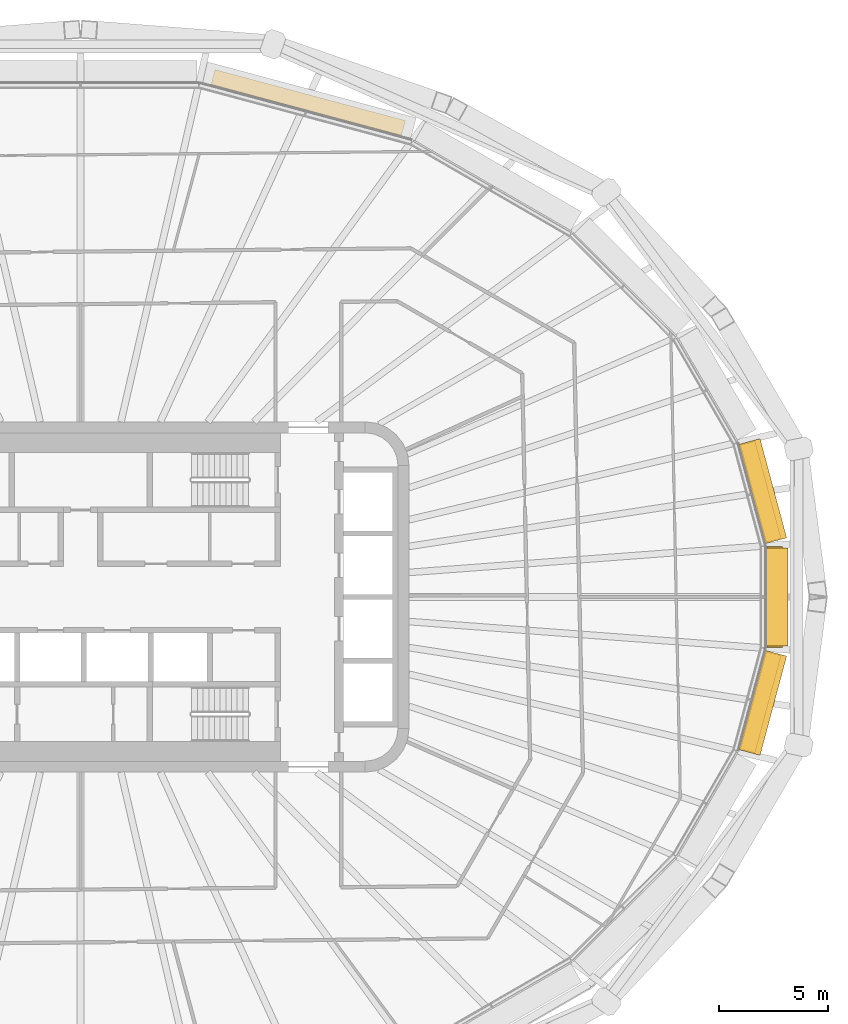
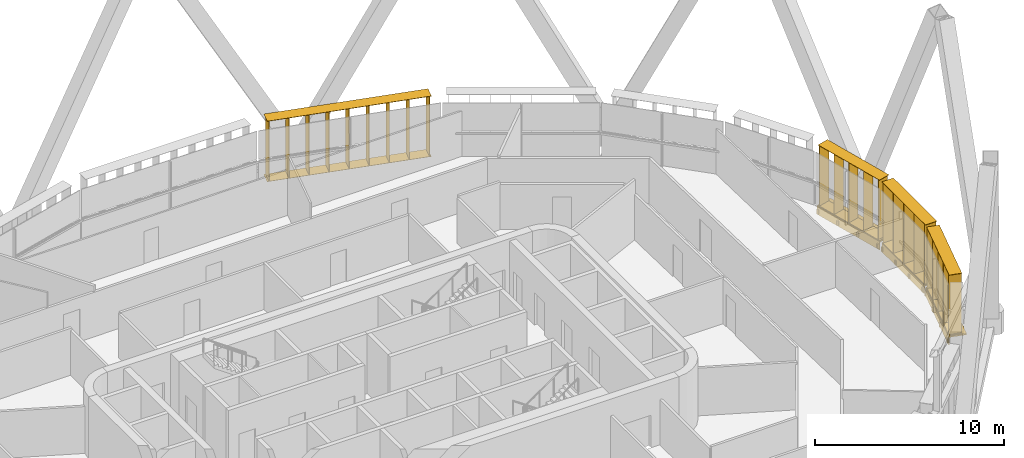
# One storey, part 25 of 25: 7 shading devices.
"""IFC4 building model written with IfcOpenShell, lengths in metres."""

from ifc_helpers import new_model, si_unit, direction, frame, origin, origin_2d, place, context, subcontext, project, spatial, rectangle, extrude, material, type_object, element, save


model = new_model("IFC4")

# Units and contexts
model_context = context("Model", 3, precision=1e-05, world=origin(), true_north=direction((0.0, 1.0)))
body_context = subcontext(model_context, "Body", "Model", "MODEL_VIEW")
ifc_project = project(units=[si_unit("LENGTHUNIT", "METRE"), si_unit("AREAUNIT", "SQUARE_METRE"), si_unit("VOLUMEUNIT", "CUBIC_METRE"), si_unit("PLANEANGLEUNIT", "RADIAN"), si_unit("MASSUNIT", "GRAM", prefix="KILO")], contexts=[model_context])

# Site, building, storey
site_placement = place(None, origin())
site = spatial("IfcSite", under=ifc_project, at=site_placement, CompositionType="ELEMENT")
building_placement = place(site_placement, origin())
building = spatial("IfcBuilding", under=site, at=building_placement, Name="Sahrelin Media Tower", CompositionType="ELEMENT")
storey_placement = place(building_placement, frame((0.0, 0.0, 165.60009765625)))
storey = spatial("IfcBuildingStorey", under=building, at=storey_placement, Name="L34", CompositionType="ELEMENT", Elevation=165.60009765625)

# Shading devices
ifc_material = material(Name="Champagne anodised aluminium 6063-T6", Category="aluminium")
shading_device_type_1 = type_object("IfcShadingDeviceType", Name="Fin cassette", PredefinedType="USERDEFINED", material=ifc_material)
placement_1 = place(storey_placement, frame((31.2841796875, 0.0, 0.0), z_axis=(0.0, 0.0, 1.0), x_axis=(0.0, -1.0, 0.0)))
element("IfcShadingDevice", 1, at=placement_1, inside=storey, type_object=shading_device_type_1, Name="L34:FIN:L34-00", ObjectType="FIN", PredefinedType="USERDEFINED", context=body_context, shape_type="SweptSolid", body=[
    extrude(rectangle(XDim=4.60009765625, YDim=0.699951171875, at=origin_2d()), frame((0.0, 0.419921875, 0.0)), (0.0, 0.0, 1.0), 0.02001953125),
    extrude(rectangle(XDim=4.60009765625, YDim=0.699951171875, at=origin_2d()), frame((0.0, 0.419921875, 3.89990234375)), (0.0, 0.0, 1.0), 0.02001953125),
    extrude(rectangle(XDim=0.02001953125, YDim=0.699951171875, at=origin_2d()), frame((-2.199951171875, 0.419921875, 0.010009765625), z_axis=(0.0, 0.0, 1.0), x_axis=(1.0, 0.0, 0.0)), (0.0, 0.0, 1.0), 3.89990234375),
    extrude(rectangle(XDim=0.02001953125, YDim=0.699951171875, at=origin_2d()), frame((-1.10009765625, 0.419921875, 0.010009765625), z_axis=(0.0, 0.0, 1.0), x_axis=(1.0, 0.0, 0.0)), (0.0, 0.0, 1.0), 3.89990234375),
    extrude(rectangle(XDim=0.02001953125, YDim=0.699951171875, at=origin_2d()), frame((0.0, 0.419921875, 0.010009765625), z_axis=(0.0, 0.0, 1.0), x_axis=(1.0, 0.0, 0.0)), (0.0, 0.0, 1.0), 3.89990234375),
    extrude(rectangle(XDim=0.02001953125, YDim=0.699951171875, at=origin_2d()), frame((1.10009765625, 0.419921875, 0.010009765625), z_axis=(0.0, 0.0, 1.0), x_axis=(1.0, 0.0, 0.0)), (0.0, 0.0, 1.0), 3.89990234375),
    extrude(rectangle(XDim=0.02001953125, YDim=0.699951171875, at=origin_2d()), frame((2.199951171875, 0.419921875, 0.010009765625), z_axis=(0.0, 0.0, 1.0), x_axis=(1.0, 0.0, 0.0)), (0.0, 0.0, 1.0), 3.89990234375),
])
placement_2 = place(storey_placement, frame((30.6513671875, 4.69921875, 0.0), z_axis=(0.0, 0.0, 1.0), x_axis=(0.258807731996, -0.965928857556, 0.0)))
element("IfcShadingDevice", 2, at=placement_2, inside=storey, type_object=shading_device_type_1, Name="L34:FIN:L34-01", ObjectType="FIN", PredefinedType="USERDEFINED", context=body_context, shape_type="SweptSolid", body=[
    extrude(rectangle(XDim=4.60009765625, YDim=0.699951171875, at=origin_2d()), frame((0.0, 0.419921875, 0.0)), (0.0, 0.0, 1.0), 0.02001953125),
    extrude(rectangle(XDim=4.60009765625, YDim=0.699951171875, at=origin_2d()), frame((0.0, 0.419921875, 3.89990234375)), (0.0, 0.0, 1.0), 0.02001953125),
    extrude(rectangle(XDim=0.02001953125, YDim=0.699951171875, at=origin_2d()), frame((-2.199951171875, 0.419921875, 0.010009765625), z_axis=(0.0, 0.0, 1.0), x_axis=(1.0, 0.0, 0.0)), (0.0, 0.0, 1.0), 3.89990234375),
    extrude(rectangle(XDim=0.02001953125, YDim=0.699951171875, at=origin_2d()), frame((-1.10009765625, 0.419921875, 0.010009765625), z_axis=(0.0, 0.0, 1.0), x_axis=(1.0, 0.0, 0.0)), (0.0, 0.0, 1.0), 3.89990234375),
    extrude(rectangle(XDim=0.02001953125, YDim=0.699951171875, at=origin_2d()), frame((0.0, 0.419921875, 0.010009765625), z_axis=(0.0, 0.0, 1.0), x_axis=(1.0, 0.0, 0.0)), (0.0, 0.0, 1.0), 3.89990234375),
    extrude(rectangle(XDim=0.02001953125, YDim=0.699951171875, at=origin_2d()), frame((1.10009765625, 0.419921875, 0.010009765625), z_axis=(0.0, 0.0, 1.0), x_axis=(1.0, 0.0, 0.0)), (0.0, 0.0, 1.0), 3.89990234375),
    extrude(rectangle(XDim=0.02001953125, YDim=0.699951171875, at=origin_2d()), frame((2.199951171875, 0.419921875, 0.010009765625), z_axis=(0.0, 0.0, 1.0), x_axis=(1.0, 0.0, 0.0)), (0.0, 0.0, 1.0), 3.89990234375),
])
shading_device_3_placement = place(storey_placement, frame((10.29052734375, 22.1748046875, 0.0), z_axis=(0.0, 0.0, 1.0), x_axis=(0.965928857556, -0.258807731996, 0.0)))
element("IfcShadingDevice", 3, at=shading_device_3_placement, inside=storey, type_object=shading_device_type_1, Name="L34:FIN:L34-05", ObjectType="FIN", PredefinedType="USERDEFINED", context=body_context, shape_type="SweptSolid", body=[
    extrude(rectangle(XDim=9.0, YDim=0.699951171875, at=origin_2d()), frame((0.0, 0.419921875, 0.0)), (0.0, 0.0, 1.0), 0.02001953125),
    extrude(rectangle(XDim=9.0, YDim=0.699951171875, at=origin_2d()), frame((0.0, 0.419921875, 3.89990234375)), (0.0, 0.0, 1.0), 0.02001953125),
    extrude(rectangle(XDim=0.02001953125, YDim=0.699951171875, at=origin_2d()), frame((-4.39990234375, 0.419921875, 0.010009765625), z_axis=(0.0, 0.0, 1.0), x_axis=(1.0, 0.0, 0.0)), (0.0, 0.0, 1.0), 3.89990234375),
    extrude(rectangle(XDim=0.02001953125, YDim=0.699951171875, at=origin_2d()), frame((-3.300048828125, 0.419921875, 0.010009765625), z_axis=(0.0, 0.0, 1.0), x_axis=(1.0, 0.0, 0.0)), (0.0, 0.0, 1.0), 3.89990234375),
    extrude(rectangle(XDim=0.02001953125, YDim=0.699951171875, at=origin_2d()), frame((-2.199951171875, 0.419921875, 0.010009765625), z_axis=(0.0, 0.0, 1.0), x_axis=(1.0, 0.0, 0.0)), (0.0, 0.0, 1.0), 3.89990234375),
    extrude(rectangle(XDim=0.02001953125, YDim=0.699951171875, at=origin_2d()), frame((-1.10009765625, 0.419921875, 0.010009765625), z_axis=(0.0, 0.0, 1.0), x_axis=(1.0, 0.0, 0.0)), (0.0, 0.0, 1.0), 3.89990234375),
    extrude(rectangle(XDim=0.02001953125, YDim=0.699951171875, at=origin_2d()), frame((0.0, 0.419921875, 0.010009765625), z_axis=(0.0, 0.0, 1.0), x_axis=(1.0, 0.0, 0.0)), (0.0, 0.0, 1.0), 3.89990234375),
    extrude(rectangle(XDim=0.02001953125, YDim=0.699951171875, at=origin_2d()), frame((1.10009765625, 0.419921875, 0.010009765625), z_axis=(0.0, 0.0, 1.0), x_axis=(1.0, 0.0, 0.0)), (0.0, 0.0, 1.0), 3.89990234375),
    extrude(rectangle(XDim=0.02001953125, YDim=0.699951171875, at=origin_2d()), frame((2.199951171875, 0.419921875, 0.010009765625), z_axis=(0.0, 0.0, 1.0), x_axis=(1.0, 0.0, 0.0)), (0.0, 0.0, 1.0), 3.89990234375),
    extrude(rectangle(XDim=0.02001953125, YDim=0.699951171875, at=origin_2d()), frame((3.300048828125, 0.419921875, 0.010009765625), z_axis=(0.0, 0.0, 1.0), x_axis=(1.0, 0.0, 0.0)), (0.0, 0.0, 1.0), 3.89990234375),
    extrude(rectangle(XDim=0.02001953125, YDim=0.699951171875, at=origin_2d()), frame((4.39990234375, 0.419921875, 0.010009765625), z_axis=(0.0, 0.0, 1.0), x_axis=(1.0, 0.0, 0.0)), (0.0, 0.0, 1.0), 3.89990234375),
])
placement_3 = place(storey_placement, frame((30.651611328125, -4.69921875, 0.0), z_axis=(0.0, 0.0, 1.0), x_axis=(-0.258807731996, -0.965928857556, 0.0)))
element("IfcShadingDevice", 4, at=placement_3, inside=storey, type_object=shading_device_type_1, Name="L34:FIN:L34-23", ObjectType="FIN", PredefinedType="USERDEFINED", context=body_context, shape_type="SweptSolid", body=[
    extrude(rectangle(XDim=4.60009765625, YDim=0.699951171875, at=origin_2d()), frame((0.0, 0.419921875, 0.0)), (0.0, 0.0, 1.0), 0.02001953125),
    extrude(rectangle(XDim=4.60009765625, YDim=0.699951171875, at=origin_2d()), frame((0.0, 0.419921875, 3.89990234375)), (0.0, 0.0, 1.0), 0.02001953125),
    extrude(rectangle(XDim=0.02001953125, YDim=0.699951171875, at=origin_2d()), frame((-2.199951171875, 0.419921875, 0.010009765625), z_axis=(0.0, 0.0, 1.0), x_axis=(1.0, 0.0, 0.0)), (0.0, 0.0, 1.0), 3.89990234375),
    extrude(rectangle(XDim=0.02001953125, YDim=0.699951171875, at=origin_2d()), frame((-1.10009765625, 0.419921875, 0.010009765625), z_axis=(0.0, 0.0, 1.0), x_axis=(1.0, 0.0, 0.0)), (0.0, 0.0, 1.0), 3.89990234375),
    extrude(rectangle(XDim=0.02001953125, YDim=0.699951171875, at=origin_2d()), frame((0.0, 0.419921875, 0.010009765625), z_axis=(0.0, 0.0, 1.0), x_axis=(1.0, 0.0, 0.0)), (0.0, 0.0, 1.0), 3.89990234375),
    extrude(rectangle(XDim=0.02001953125, YDim=0.699951171875, at=origin_2d()), frame((1.10009765625, 0.419921875, 0.010009765625), z_axis=(0.0, 0.0, 1.0), x_axis=(1.0, 0.0, 0.0)), (0.0, 0.0, 1.0), 3.89990234375),
    extrude(rectangle(XDim=0.02001953125, YDim=0.699951171875, at=origin_2d()), frame((2.199951171875, 0.419921875, 0.010009765625), z_axis=(0.0, 0.0, 1.0), x_axis=(1.0, 0.0, 0.0)), (0.0, 0.0, 1.0), 3.89990234375),
])
shading_device_type_2 = type_object("IfcShadingDeviceType", Name="Sunshade band", PredefinedType="USERDEFINED", material=ifc_material)
element("IfcShadingDevice", 5, at=placement_1, inside=storey, type_object=shading_device_type_2, Name="L34:SUN:L34-00", ObjectType="SUNSHADE", PredefinedType="USERDEFINED", context=body_context, shape_type="SweptSolid", body=[
    extrude(rectangle(XDim=4.475341796875, YDim=0.050048828125, at=origin_2d()), frame((0.0, 0.044921875, -0.55126953125)), (0.0, 0.0, 1.0), 0.471435546875),
    extrude(rectangle(XDim=4.475341796875, YDim=1.0, at=origin_2d()), frame((0.0, 0.52001953125, -0.080078125)), (0.0, 0.0, 1.0), 0.080078125),
    extrude(rectangle(XDim=0.10009765625, YDim=0.074951171875, at=origin_2d()), frame((-2.1376953125, -0.017578125, -0.47021484375)), (0.0, 0.0, 1.0), 0.300048828125),
    extrude(rectangle(XDim=0.10009765625, YDim=0.074951171875, at=origin_2d()), frame((-0.712646484375, -0.017578125, -0.47021484375)), (0.0, 0.0, 1.0), 0.300048828125),
    extrude(rectangle(XDim=0.10009765625, YDim=0.074951171875, at=origin_2d()), frame((0.712646484375, -0.017578125, -0.47021484375)), (0.0, 0.0, 1.0), 0.300048828125),
    extrude(rectangle(XDim=0.10009765625, YDim=0.074951171875, at=origin_2d()), frame((2.1376953125, -0.017578125, -0.47021484375)), (0.0, 0.0, 1.0), 0.300048828125),
])
element("IfcShadingDevice", 6, at=placement_2, inside=storey, type_object=shading_device_type_2, Name="L34:SUN:L34-01", ObjectType="SUNSHADE", PredefinedType="USERDEFINED", context=body_context, shape_type="SweptSolid", body=[
    extrude(rectangle(XDim=4.689697265625, YDim=0.050048828125, at=origin_2d()), frame((0.0, 0.044921875, -0.55126953125)), (0.0, 0.0, 1.0), 0.471435546875),
    extrude(rectangle(XDim=4.689697265625, YDim=1.0, at=origin_2d()), frame((0.0, 0.52001953125, -0.080078125)), (0.0, 0.0, 1.0), 0.080078125),
    extrude(rectangle(XDim=0.10009765625, YDim=0.074951171875, at=origin_2d()), frame((-2.244873046875, -0.017578125, -0.47021484375)), (0.0, 0.0, 1.0), 0.300048828125),
    extrude(rectangle(XDim=0.10009765625, YDim=0.074951171875, at=origin_2d()), frame((-0.748291015625, -0.017578125, -0.47021484375)), (0.0, 0.0, 1.0), 0.300048828125),
    extrude(rectangle(XDim=0.10009765625, YDim=0.074951171875, at=origin_2d()), frame((0.748291015625, -0.017578125, -0.47021484375)), (0.0, 0.0, 1.0), 0.300048828125),
    extrude(rectangle(XDim=0.10009765625, YDim=0.074951171875, at=origin_2d()), frame((2.244873046875, -0.017578125, -0.47021484375)), (0.0, 0.0, 1.0), 0.300048828125),
])
element("IfcShadingDevice", 7, at=placement_3, inside=storey, type_object=shading_device_type_2, Name="L34:SUN:L34-23", ObjectType="SUNSHADE", PredefinedType="USERDEFINED", context=body_context, shape_type="SweptSolid", body=[
    extrude(rectangle(XDim=4.689697265625, YDim=0.050048828125, at=origin_2d()), frame((0.0, 0.044921875, -0.55126953125)), (0.0, 0.0, 1.0), 0.471435546875),
    extrude(rectangle(XDim=4.689697265625, YDim=1.0, at=origin_2d()), frame((0.0, 0.52001953125, -0.080078125)), (0.0, 0.0, 1.0), 0.080078125),
    extrude(rectangle(XDim=0.10009765625, YDim=0.074951171875, at=origin_2d()), frame((-2.244873046875, -0.017578125, -0.47021484375)), (0.0, 0.0, 1.0), 0.300048828125),
    extrude(rectangle(XDim=0.10009765625, YDim=0.074951171875, at=origin_2d()), frame((-0.748291015625, -0.017578125, -0.47021484375)), (0.0, 0.0, 1.0), 0.300048828125),
    extrude(rectangle(XDim=0.10009765625, YDim=0.074951171875, at=origin_2d()), frame((0.748291015625, -0.017578125, -0.47021484375)), (0.0, 0.0, 1.0), 0.300048828125),
    extrude(rectangle(XDim=0.10009765625, YDim=0.074951171875, at=origin_2d()), frame((2.244873046875, -0.017578125, -0.47021484375)), (0.0, 0.0, 1.0), 0.300048828125),
])

save(model, "model.ifc")
